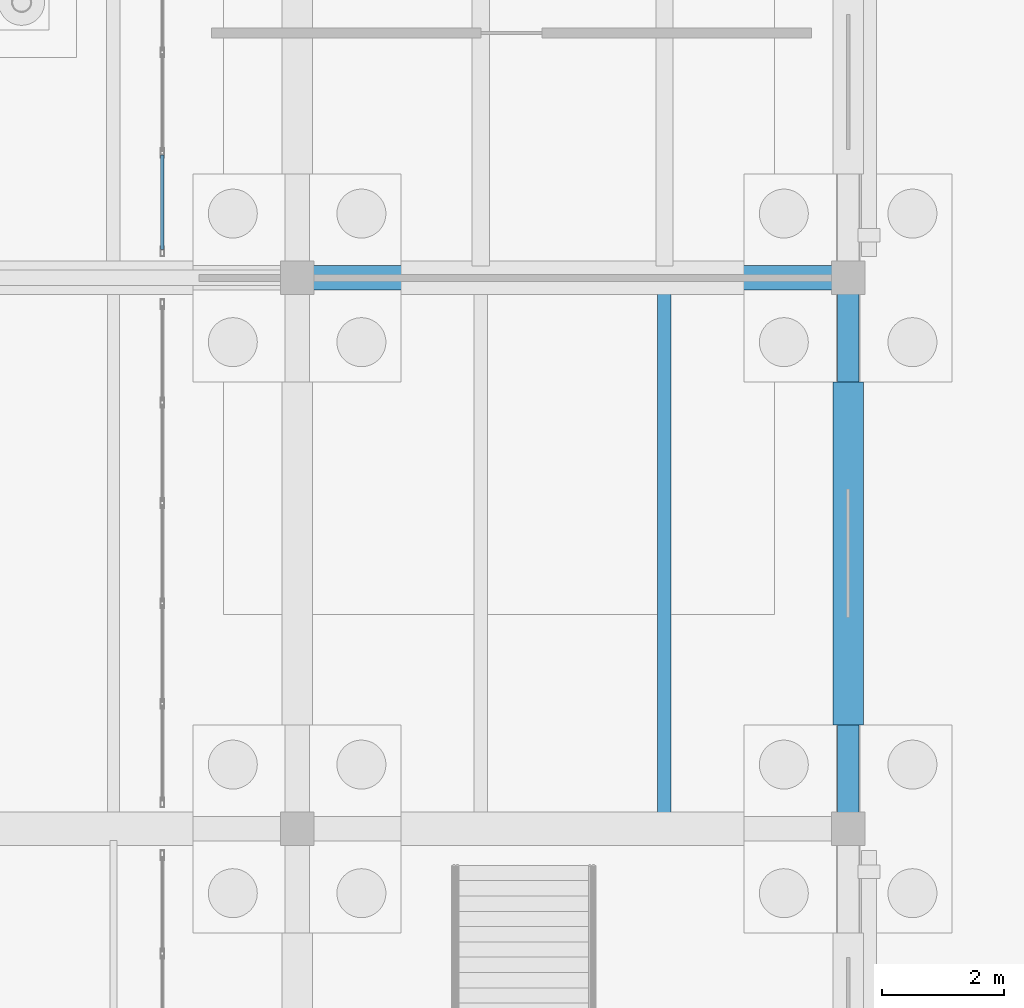
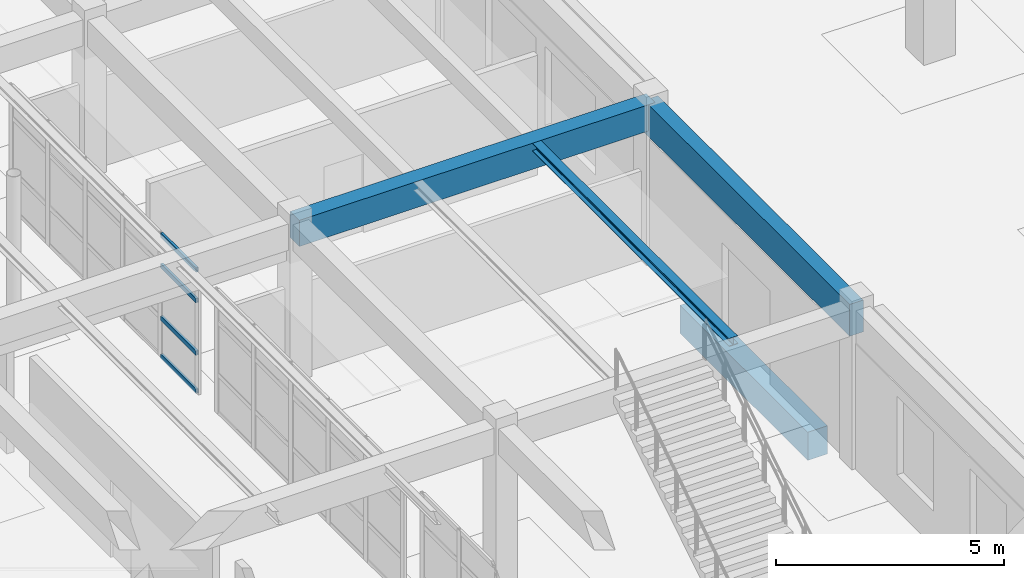
# One storey, part 50 of 186: 4 beams, 4 members, 1 element without a shape of its own.
"""IFC4 building model written with IfcOpenShell, lengths in metres."""

from ifc_helpers import new_model, si_unit, direction, frame, origin, origin_2d, place, context, subcontext, project, spatial, rectangle, hollow_rectangle, i_section, extrude, material, layer, layer_set, material_profile, profile_set, type_object, element, aggregate, save


model = new_model("IFC4")

# Units and contexts
model_context = context("Model", 3, precision=1e-05, world=origin(), true_north=direction((0.0, 1.0)))
body_context = subcontext(model_context, "Body", "Model", "MODEL_VIEW")
ifc_project = project(units=[si_unit("LENGTHUNIT", "METRE"), si_unit("AREAUNIT", "SQUARE_METRE"), si_unit("VOLUMEUNIT", "CUBIC_METRE"), si_unit("PLANEANGLEUNIT", "RADIAN"), si_unit("MASSUNIT", "GRAM", prefix="KILO")], contexts=[model_context])

# Site, building, storey
site_placement = place(None, origin())
site = spatial("IfcSite", under=ifc_project, at=site_placement, CompositionType="ELEMENT")
building_placement = place(site_placement, origin())
building = spatial("IfcBuilding", under=site, at=building_placement, Name="Ornek Quay Market", CompositionType="ELEMENT")
storey_placement = place(building_placement, origin())
storey = spatial("IfcBuildingStorey", under=building, at=storey_placement, Name="L00", CompositionType="ELEMENT", Elevation=0.0)

# Beams
ifc_material_1 = material(Name="Concrete C35/45", Category="concrete")
ifc_material_profile_1 = material_profile(ifc_material_1, rectangle(XDim=0.5, YDim=0.75, at=origin_2d()), Name="RC 500x750", Category="concrete")
ifc_profile_set_1 = profile_set([ifc_material_profile_1], Name="Concrete C35/45")
beam_type_1 = type_object("IfcBeamType", Name="BM-GB-500x750", PredefinedType="BEAM", material=ifc_profile_set_1)
beam_1_placement = place(storey_placement, frame((27.0, 66.699951171875, -0.574951171875), z_axis=(0.0, 1.0, 0.0), x_axis=(-1.0, 0.0, 0.0)))
element("IfcBeam", 1, at=beam_1_placement, inside=storey, type_object=beam_type_1, Name="Ground tie beam GB-082", PredefinedType="BEAM", context=body_context, shape_type="SweptSolid", body=[
    extrude(rectangle(XDim=0.5, YDim=0.75, at=origin_2d()), origin(), (0.0, 0.0, 1.0), 5.60009765625),
])
ifc_material_2 = material(Name="Concrete C40/50", Category="concrete")
ifc_material_profile_2 = material_profile(ifc_material_2, rectangle(XDim=0.35009765625, YDim=0.85009765625, at=origin_2d()), Name="RC 350x850", Category="concrete")
ifc_profile_set_2 = profile_set([ifc_material_profile_2], Name="Concrete C40/50")
beam_type_2 = type_object("IfcBeamType", Name="BM-SPN-350x850", PredefinedType="SPANDREL", material=ifc_profile_set_2)
beam_2_placement = place(storey_placement, frame((27.0, 65.0, 3.794921875), z_axis=(0.0, 1.0, 0.0), x_axis=(-1.0, 0.0, 0.0)))
element("IfcBeam", 2, at=beam_2_placement, inside=storey, type_object=beam_type_2, Name="Primary beam B-SP1-065", PredefinedType="SPANDREL", context=body_context, shape_type="SweptSolid", body=[
    extrude(rectangle(XDim=0.35009765625, YDim=0.85009765625, at=origin_2d()), origin(), (0.0, 0.0, 1.0), 9.0),
])
ifc_material_3 = material(Name="Steel S355", Category="steel")
ifc_material_profile_3 = material_profile(ifc_material_3, i_section(OverallWidth=0.219970703125, OverallDepth=0.2099609375, WebThickness=0.007080078125, FlangeThickness=0.010986328125, FilletRadius=0.01806640625, at=origin_2d()), Name="HEA 220", Category="steel")
ifc_profile_set_3 = profile_set([ifc_material_profile_3], Name="Steel S355")
beam_type_3 = type_object("IfcBeamType", Name="BM-STL-HEA220", PredefinedType="BEAM", material=ifc_profile_set_3)
beam_3_placement = place(storey_placement, frame((24.0, 65.19189453125, 4.114990234375), z_axis=(0.0, 1.0, 0.0), x_axis=(-1.0, 0.0, 0.0)))
element("IfcBeam", 3, at=beam_3_placement, inside=storey, type_object=beam_type_3, Name="Secondary joist SB-13-012", PredefinedType="BEAM", context=body_context, shape_type="SweptSolid", body=[
    extrude(i_section(OverallWidth=0.219970703125, OverallDepth=0.2099609375, WebThickness=0.007080078125, FlangeThickness=0.010986328125, FilletRadius=0.01806640625, at=origin_2d()), origin(), (0.0, 0.0, 1.0), 8.6162109375),
])
ifc_material_profile_4 = material_profile(ifc_material_1, rectangle(XDim=0.39990234375, YDim=0.699951171875, at=origin_2d()), Name="RC 400x700", Category="concrete")
ifc_profile_set_4 = profile_set([ifc_material_profile_4], Name="Concrete C35/45")
beam_type_4 = type_object("IfcBeamType", Name="BM-WW-400x700", PredefinedType="BEAM", material=ifc_profile_set_4)
beam_4_placement = place(storey_placement, frame((18.0, 74.0, 3.8701171875), z_axis=(1.0, 0.0, 0.0), x_axis=(0.0, 1.0, 0.0)))
element("IfcBeam", 4, at=beam_4_placement, inside=storey, type_object=beam_type_4, Name="Primary beam B-WW1-018", PredefinedType="BEAM", context=body_context, shape_type="SweptSolid", body=[
    extrude(rectangle(XDim=0.39990234375, YDim=0.699951171875, at=origin_2d()), origin(), (0.0, 0.0, 1.0), 9.0),
])

# Curtain wall, members
ifc_material_4 = material(Name="Anodised bronze aluminium and triple low-e glass", Category="aluminium")
ifc_layer = layer(ifc_material_4, 0.179931640625, Name="Anodised bronze aluminium and triple low-e glass", Category="aluminium")
ifc_layer_set = layer_set([ifc_layer], Name="Anodised bronze aluminium and triple low-e glass")
curtain_wall_type = type_object("IfcCurtainWallType", Name="CW-CONC-MOD1500", PredefinedType="USERDEFINED", material=ifc_layer_set)
curtain_wall_placement = place(storey_placement, origin())
curtain_wall = element("IfcCurtainWall", 5, at=curtain_wall_placement, inside=storey, type_object=curtain_wall_type, Name="Curtain wall CW-144", ObjectType="CURTAIN WALL", PredefinedType="USERDEFINED")
ifc_material_5 = material(Name="Anodised aluminium 6063-T6", Category="aluminium")
ifc_material_profile_5 = material_profile(ifc_material_5, hollow_rectangle(XDim=0.06005859375, YDim=0.1201171875, WallThickness=0.00390625, at=origin_2d()), Name="CW-TRN-60x120", Category="aluminium")
ifc_profile_set_5 = profile_set([ifc_material_profile_5], Name="Anodised aluminium 6063-T6")
member_type = type_object("IfcMemberType", Name="CW-TRN-60x120", PredefinedType="USERDEFINED", material=ifc_profile_set_5)
member_1_placement = place(storey_placement, frame((15.800048828125, 74.4599609375, 0.030029296875), z_axis=(0.0, 1.0, 0.0), x_axis=(-1.0, 0.0, 0.0)))
member_1 = element("IfcMember", 6, at=member_1_placement, type_object=member_type, Name="CW-144 transom 1.1", ObjectType="TRANSOM", PredefinedType="USERDEFINED", context=body_context, shape_type="SweptSolid", body=[
    extrude(hollow_rectangle(XDim=0.06005859375, YDim=0.1201171875, WallThickness=0.00390625, at=origin_2d()), origin(), (0.0, 0.0, 1.0), 1.550048828125),
])
member_2_placement = place(storey_placement, frame((15.800048828125, 74.4599609375, 1.050048828125), z_axis=(0.0, 1.0, 0.0), x_axis=(-1.0, 0.0, 0.0)))
member_2 = element("IfcMember", 7, at=member_2_placement, type_object=member_type, Name="CW-144 transom 1.2", ObjectType="TRANSOM", PredefinedType="USERDEFINED", context=body_context, shape_type="SweptSolid", body=[
    extrude(hollow_rectangle(XDim=0.06005859375, YDim=0.1201171875, WallThickness=0.00390625, at=origin_2d()), origin(), (0.0, 0.0, 1.0), 1.550048828125),
])
member_3_placement = place(storey_placement, frame((15.800048828125, 74.4599609375, 2.449951171875), z_axis=(0.0, 1.0, 0.0), x_axis=(-1.0, 0.0, 0.0)))
member_3 = element("IfcMember", 8, at=member_3_placement, type_object=member_type, Name="CW-144 transom 1.3", ObjectType="TRANSOM", PredefinedType="USERDEFINED", context=body_context, shape_type="SweptSolid", body=[
    extrude(hollow_rectangle(XDim=0.06005859375, YDim=0.1201171875, WallThickness=0.00390625, at=origin_2d()), origin(), (0.0, 0.0, 1.0), 1.550048828125),
])
member_4_placement = place(storey_placement, frame((15.800048828125, 74.4599609375, 3.27001953125), z_axis=(0.0, 1.0, 0.0), x_axis=(-1.0, 0.0, 0.0)))
member_4 = element("IfcMember", 9, at=member_4_placement, type_object=member_type, Name="CW-144 transom 1.4", ObjectType="TRANSOM", PredefinedType="USERDEFINED", context=body_context, shape_type="SweptSolid", body=[
    extrude(hollow_rectangle(XDim=0.06005859375, YDim=0.1201171875, WallThickness=0.00390625, at=origin_2d()), origin(), (0.0, 0.0, 1.0), 1.550048828125),
])
aggregate(curtain_wall, [member_1, member_2, member_3, member_4])

save(model, "model.ifc")
